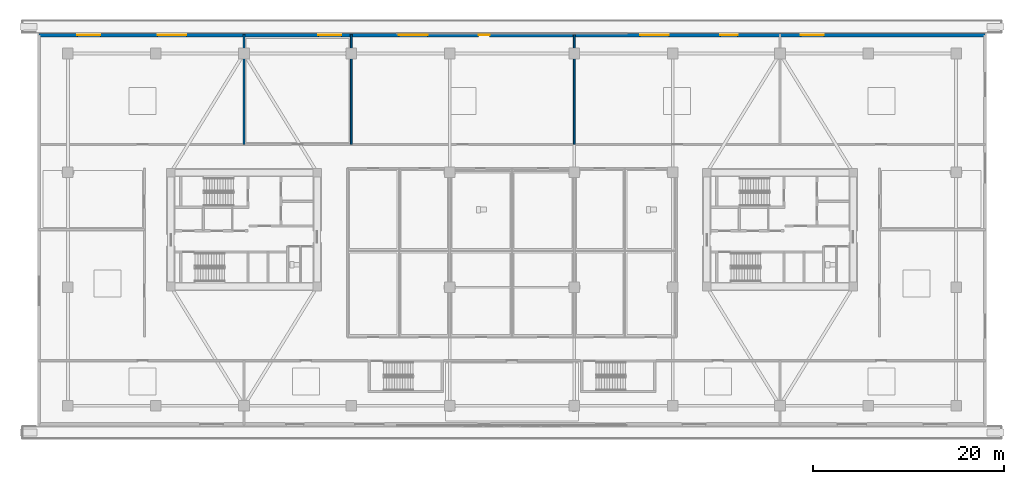
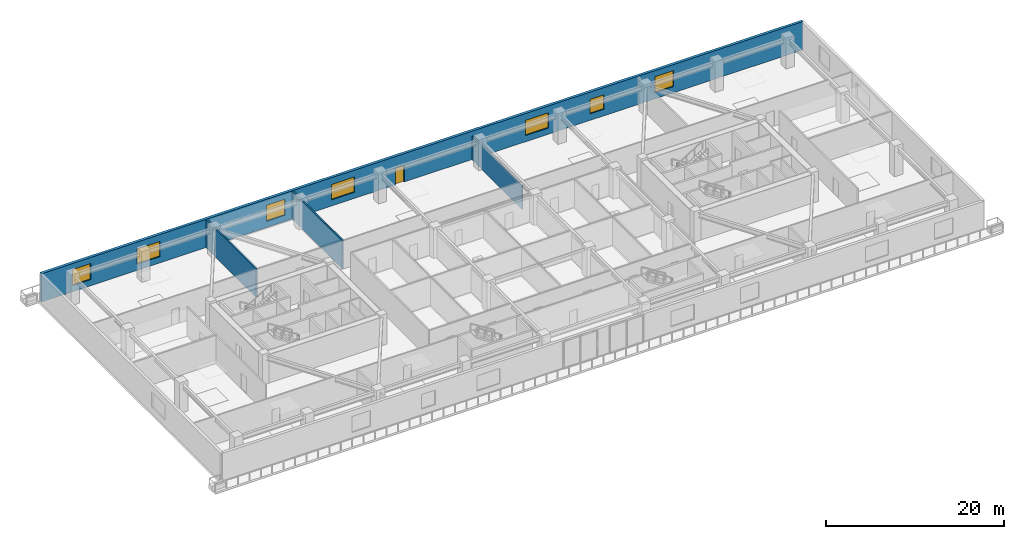
# One storey, part 9 of 22: 7 windows, 4 walls, 1 door, 8 openings.
"""IFC4 building model written with IfcOpenShell, lengths in metres."""

from ifc_helpers import new_model, si_unit, direction, frame, frame_2d, origin, place, context, subcontext, project, spatial, rectangle, extrude, source, transform, mapped, material, layer, layer_set, type_object, type_shapes, element, fill, save


model = new_model("IFC4")

# Units and contexts
model_context = context("Model", 3, precision=1e-05, world=origin(), true_north=direction((0.0, 1.0)))
body_context = subcontext(model_context, "Body", "Model", "MODEL_VIEW")
ifc_project = project(units=[si_unit("LENGTHUNIT", "METRE"), si_unit("AREAUNIT", "SQUARE_METRE"), si_unit("VOLUMEUNIT", "CUBIC_METRE"), si_unit("PLANEANGLEUNIT", "RADIAN"), si_unit("MASSUNIT", "GRAM", prefix="KILO")], contexts=[model_context])

# Site, building, storey
site_placement = place(None, origin())
site = spatial("IfcSite", under=ifc_project, at=site_placement, CompositionType="ELEMENT")
building_placement = place(site_placement, origin())
building = spatial("IfcBuilding", under=site, at=building_placement, Name="Norrkilde Senior Care Towers", CompositionType="ELEMENT")
storey_placement = place(building_placement, frame((0.0, 0.0, 12.60009765625)))
storey = spatial("IfcBuildingStorey", under=building, at=storey_placement, Name="L03", CompositionType="ELEMENT", Elevation=12.60009765625)

# Wall, openings, windows, door
ifc_material_1 = material(Name="Precast concrete C45/55", Category="concrete")
ifc_layer_1 = layer(ifc_material_1, 0.360107421875)
ifc_layer_set_1 = layer_set([ifc_layer_1], Name="Precast concrete C45/55")
wall_type_1 = type_object("IfcWallType", Name="Podium Facade Wall 360", PredefinedType="SOLIDWALL", material=ifc_layer_set_1)
shared_shape_1 = source(origin(), body_context, "Body", "SweptSolid", [
    extrude(rectangle(XDim=98.83984375, YDim=0.360107421875, at=frame_2d((49.419921875, 0.0))), origin(), (0.0, 0.0, 1.0), 3.8798828125),
])
type_shapes(wall_type_1, [shared_shape_1])
wall_1_placement = place(storey_placement, frame((-49.419921875, 20.320068359375, 0.0), z_axis=(0.0, 0.0, 1.0), x_axis=(1.0, 0.0, 0.0)))
wall_1 = element("IfcWall", 1, at=wall_1_placement, inside=storey, type_object=wall_type_1, Name="L03 Podium N Facade Wall", PredefinedType="SOLIDWALL", context=body_context, shape_type="MappedRepresentation", body=[
    mapped(shared_shape_1, transform((0.0, 0.0, 0.0), x_axis=(1.0, 0.0, 0.0), y_axis=(0.0, 1.0, 0.0), z_axis=(0.0, 0.0, 1.0), scale=1.0)),
])
opening_1_placement = place(wall_1_placement, frame((45.919921875, 0.0, 0.0)))
opening_1 = element("IfcOpeningElement", 2, at=opening_1_placement, cuts=wall_1, Name="Opening D-09", PredefinedType="OPENING", context=body_context, shape_type="SweptSolid", body=[
    extrude(rectangle(XDim=1.14990234375, YDim=2.25, at=frame_2d((0.574951171875, 1.125))), frame((0.0, 0.18994140625, 0.0), z_axis=(0.0, -1.0, 0.0), x_axis=(1.0, 0.0, 0.0)), (0.0, 0.0, 1.0), 0.380126953125),
])
opening_2_placement = place(wall_1_placement, frame((4.0, 0.0, 0.85009765625)))
opening_2 = element("IfcOpeningElement", 3, at=opening_2_placement, cuts=wall_1, Name="Opening WN-01", PredefinedType="OPENING", context=body_context, shape_type="SweptSolid", body=[
    extrude(rectangle(XDim=2.39990234375, YDim=2.199951171875, at=frame_2d((1.199951171875, 1.10009765625))), frame((0.0, 0.18994140625, 0.0), z_axis=(0.0, -1.0, 0.0), x_axis=(1.0, 0.0, 0.0)), (0.0, 0.0, 1.0), 0.380126953125),
])
opening_3_placement = place(wall_1_placement, frame((12.39990234375, 0.0, 0.85009765625)))
opening_3 = element("IfcOpeningElement", 4, at=opening_3_placement, cuts=wall_1, Name="Opening WN-02", PredefinedType="OPENING", context=body_context, shape_type="SweptSolid", body=[
    extrude(rectangle(XDim=3.0, YDim=2.10009765625, at=frame_2d((1.5, 1.050048828125))), frame((0.0, 0.18994140625, 0.0), z_axis=(0.0, -1.0, 0.0), x_axis=(1.0, 0.0, 0.0)), (0.0, 0.0, 1.0), 0.380126953125),
])
opening_4_placement = place(wall_1_placement, frame((29.199951171875, 0.0, 0.85009765625)))
opening_4 = element("IfcOpeningElement", 5, at=opening_4_placement, cuts=wall_1, Name="Opening WN-01", PredefinedType="OPENING", context=body_context, shape_type="SweptSolid", body=[
    extrude(rectangle(XDim=2.39990234375, YDim=2.199951171875, at=frame_2d((1.199951171875, 1.10009765625))), frame((0.0, 0.18994140625, 0.0), z_axis=(0.0, -1.0, 0.0), x_axis=(1.0, 0.0, 0.0)), (0.0, 0.0, 1.0), 0.380126953125),
])
opening_5_placement = place(wall_1_placement, frame((37.60009765625, 0.0, 0.85009765625)))
opening_5 = element("IfcOpeningElement", 6, at=opening_5_placement, cuts=wall_1, Name="Opening WN-02", PredefinedType="OPENING", context=body_context, shape_type="SweptSolid", body=[
    extrude(rectangle(XDim=3.0, YDim=2.10009765625, at=frame_2d((1.5, 1.050048828125))), frame((0.0, 0.18994140625, 0.0), z_axis=(0.0, -1.0, 0.0), x_axis=(1.0, 0.0, 0.0)), (0.0, 0.0, 1.0), 0.380126953125),
])
opening_6_placement = place(wall_1_placement, frame((62.800048828125, 0.0, 0.85009765625)))
opening_6 = element("IfcOpeningElement", 7, at=opening_6_placement, cuts=wall_1, Name="Opening WN-02", PredefinedType="OPENING", context=body_context, shape_type="SweptSolid", body=[
    extrude(rectangle(XDim=3.0, YDim=2.10009765625, at=frame_2d((1.5, 1.050048828125))), frame((0.0, 0.18994140625, 0.0), z_axis=(0.0, -1.0, 0.0), x_axis=(1.0, 0.0, 0.0)), (0.0, 0.0, 1.0), 0.380126953125),
])
opening_7_placement = place(wall_1_placement, frame((71.199951171875, 0.0, 0.89990234375)))
opening_7 = element("IfcOpeningElement", 8, at=opening_7_placement, cuts=wall_1, Name="Opening WN-03", PredefinedType="OPENING", context=body_context, shape_type="SweptSolid", body=[
    extrude(rectangle(XDim=1.800048828125, YDim=2.0, at=frame_2d((0.89990234375, 1.0))), frame((0.0, 0.18994140625, 0.0), z_axis=(0.0, -1.0, 0.0), x_axis=(1.0, 0.0, 0.0)), (0.0, 0.0, 1.0), 0.380126953125),
])
opening_8_placement = place(wall_1_placement, frame((79.60009765625, 0.0, 0.85009765625)))
opening_8 = element("IfcOpeningElement", 9, at=opening_8_placement, cuts=wall_1, Name="Opening WN-01", PredefinedType="OPENING", context=body_context, shape_type="SweptSolid", body=[
    extrude(rectangle(XDim=2.39990234375, YDim=2.199951171875, at=frame_2d((1.199951171875, 1.10009765625))), frame((0.0, 0.18994140625, 0.0), z_axis=(0.0, -1.0, 0.0), x_axis=(1.0, 0.0, 0.0)), (0.0, 0.0, 1.0), 0.380126953125),
])
ifc_material_2 = material(Name="Triple Low-E Insulated Glazing", Category="glass")
window_type_1 = type_object("IfcWindowType", Name="Podium Clinic Triple Window 2400x2200", PartitioningType="SINGLE_PANEL", PredefinedType="WINDOW", material=ifc_material_2)
shared_shape_2 = source(origin(), body_context, "Body", "SweptSolid", [
    extrude(rectangle(XDim=2.39990234375, YDim=2.199951171875, at=frame_2d((1.199951171875, 1.10009765625))), frame((0.0, 0.030029296875, 0.0), z_axis=(0.0, -1.0, 0.0), x_axis=(1.0, 0.0, 0.0)), (0.0, 0.0, 1.0), 0.06005859375),
])
type_shapes(window_type_1, [shared_shape_2])
window_1_placement = place(opening_2_placement, origin())
window_1 = element("IfcWindow", 10, at=window_1_placement, inside=storey, type_object=window_type_1, Name="L03 N Window 01", OverallHeight=2.199951171875, OverallWidth=2.39990234375, PartitioningType="SINGLE_PANEL", PredefinedType="WINDOW", context=body_context, shape_type="MappedRepresentation", body=[
    mapped(shared_shape_2, transform((0.0, 0.0, 0.0), x_axis=(1.0, 0.0, 0.0), y_axis=(0.0, 1.0, 0.0), z_axis=(0.0, 0.0, 1.0), scale=1.0)),
])
fill(opening_2, window_1)
window_2_placement = place(opening_4_placement, origin())
window_2 = element("IfcWindow", 11, at=window_2_placement, inside=storey, type_object=window_type_1, Name="L03 N Window 04", OverallHeight=2.199951171875, OverallWidth=2.39990234375, PartitioningType="SINGLE_PANEL", PredefinedType="WINDOW", context=body_context, shape_type="MappedRepresentation", body=[
    mapped(shared_shape_2, transform((0.0, 0.0, 0.0), x_axis=(1.0, 0.0, 0.0), y_axis=(0.0, 1.0, 0.0), z_axis=(0.0, 0.0, 1.0), scale=1.0)),
])
fill(opening_4, window_2)
window_3_placement = place(opening_8_placement, origin())
window_3 = element("IfcWindow", 12, at=window_3_placement, inside=storey, type_object=window_type_1, Name="L03 N Window 10", OverallHeight=2.199951171875, OverallWidth=2.39990234375, PartitioningType="SINGLE_PANEL", PredefinedType="WINDOW", context=body_context, shape_type="MappedRepresentation", body=[
    mapped(shared_shape_2, transform((0.0, 0.0, 0.0), x_axis=(1.0, 0.0, 0.0), y_axis=(0.0, 1.0, 0.0), z_axis=(0.0, 0.0, 1.0), scale=1.0)),
])
fill(opening_8, window_3)
window_type_2 = type_object("IfcWindowType", Name="Podium Rehab Ribbon Window 3000x2100", PartitioningType="SINGLE_PANEL", PredefinedType="WINDOW", material=ifc_material_2)
shared_shape_3 = source(origin(), body_context, "Body", "SweptSolid", [
    extrude(rectangle(XDim=3.0, YDim=2.10009765625, at=frame_2d((1.5, 1.050048828125))), frame((0.0, 0.030029296875, 0.0), z_axis=(0.0, -1.0, 0.0), x_axis=(1.0, 0.0, 0.0)), (0.0, 0.0, 1.0), 0.06005859375),
])
type_shapes(window_type_2, [shared_shape_3])
window_4_placement = place(opening_3_placement, origin())
window_4 = element("IfcWindow", 13, at=window_4_placement, inside=storey, type_object=window_type_2, Name="L03 N Window 02", OverallHeight=2.10009765625, OverallWidth=3.0, PartitioningType="SINGLE_PANEL", PredefinedType="WINDOW", context=body_context, shape_type="MappedRepresentation", body=[
    mapped(shared_shape_3, transform((0.0, 0.0, 0.0), x_axis=(1.0, 0.0, 0.0), y_axis=(0.0, 1.0, 0.0), z_axis=(0.0, 0.0, 1.0), scale=1.0)),
])
fill(opening_3, window_4)
window_5_placement = place(opening_5_placement, origin())
window_5 = element("IfcWindow", 14, at=window_5_placement, inside=storey, type_object=window_type_2, Name="L03 N Window 05", OverallHeight=2.10009765625, OverallWidth=3.0, PartitioningType="SINGLE_PANEL", PredefinedType="WINDOW", context=body_context, shape_type="MappedRepresentation", body=[
    mapped(shared_shape_3, transform((0.0, 0.0, 0.0), x_axis=(1.0, 0.0, 0.0), y_axis=(0.0, 1.0, 0.0), z_axis=(0.0, 0.0, 1.0), scale=1.0)),
])
fill(opening_5, window_5)
window_6_placement = place(opening_6_placement, origin())
window_6 = element("IfcWindow", 15, at=window_6_placement, inside=storey, type_object=window_type_2, Name="L03 N Window 08", OverallHeight=2.10009765625, OverallWidth=3.0, PartitioningType="SINGLE_PANEL", PredefinedType="WINDOW", context=body_context, shape_type="MappedRepresentation", body=[
    mapped(shared_shape_3, transform((0.0, 0.0, 0.0), x_axis=(1.0, 0.0, 0.0), y_axis=(0.0, 1.0, 0.0), z_axis=(0.0, 0.0, 1.0), scale=1.0)),
])
fill(opening_6, window_6)
window_type_3 = type_object("IfcWindowType", Name="Podium Therapy Garden Window 1800x2000", PartitioningType="SINGLE_PANEL", PredefinedType="WINDOW", material=ifc_material_2)
shared_shape_4 = source(origin(), body_context, "Body", "SweptSolid", [
    extrude(rectangle(XDim=1.800048828125, YDim=2.0, at=frame_2d((0.89990234375, 1.0))), frame((0.0, 0.030029296875, 0.0), z_axis=(0.0, -1.0, 0.0), x_axis=(1.0, 0.0, 0.0)), (0.0, 0.0, 1.0), 0.06005859375),
])
type_shapes(window_type_3, [shared_shape_4])
window_7_placement = place(opening_7_placement, origin())
window_7 = element("IfcWindow", 16, at=window_7_placement, inside=storey, type_object=window_type_3, Name="L03 N Window 09", OverallHeight=2.0, OverallWidth=1.800048828125, PartitioningType="SINGLE_PANEL", PredefinedType="WINDOW", context=body_context, shape_type="MappedRepresentation", body=[
    mapped(shared_shape_4, transform((0.0, 0.0, 0.0), x_axis=(1.0, 0.0, 0.0), y_axis=(0.0, 1.0, 0.0), z_axis=(0.0, 0.0, 1.0), scale=1.0)),
])
fill(opening_7, window_7)
ifc_material_3 = material(Name="Anodised Aluminium", Category="aluminium")
door_type = type_object("IfcDoorType", Name="Terrace and Balcony Glazed Door 1150x2250", OperationType="NOTDEFINED", PredefinedType="DOOR", material=ifc_material_3)
shared_shape_5 = source(origin(), body_context, "Body", "SweptSolid", [
    extrude(rectangle(XDim=1.14990234375, YDim=2.25, at=frame_2d((0.574951171875, 1.125))), frame((0.0, 0.02490234375, 0.0), z_axis=(0.0, -1.0, 0.0), x_axis=(1.0, 0.0, 0.0)), (0.0, 0.0, 1.0), 0.050048828125),
])
type_shapes(door_type, [shared_shape_5])
door_placement = place(opening_1_placement, origin())
door = element("IfcDoor", 17, at=door_placement, inside=storey, type_object=door_type, Name="L03 North Cascading Garden Terrace Door", OperationType="SINGLE_SWING_LEFT", OverallHeight=2.25, OverallWidth=1.14990234375, PredefinedType="DOOR", context=body_context, shape_type="MappedRepresentation", body=[
    mapped(shared_shape_5, transform((0.0, 0.0, 0.0), x_axis=(1.0, 0.0, 0.0), y_axis=(0.0, 1.0, 0.0), z_axis=(0.0, 0.0, 1.0), scale=1.0)),
])
fill(opening_1, door)

# Walls
ifc_material_4 = material(Name="Gypsum Acoustic Board")
ifc_layer_2 = layer(ifc_material_4, 0.18994140625)
ifc_layer_set_2 = layer_set([ifc_layer_2], Name="Gypsum Acoustic Board")
wall_type_2 = type_object("IfcWallType", Name="Unit Demising Acoustic Wall 190", PredefinedType="PARTITIONING", material=ifc_layer_set_2)
shared_shape_6 = source(origin(), body_context, "Body", "SweptSolid", [
    extrude(rectangle(XDim=11.5, YDim=0.18994140625, at=frame_2d((5.75, 0.0))), origin(), (0.0, 0.0, 1.0), 3.864990234375),
])
for number, where, z_axis, x_axis, name in (
    (18, (-28.0, 8.89990234375, 0.0), (0.0, 0.0, 1.0), (0.0, 1.0, 0.0), "WL-INT-L03-POD-NPV1"),
    (19, (-16.800048828125, 8.89990234375, 0.0), (0.0, 0.0, 1.0), (0.0, 1.0, 0.0), "WL-INT-L03-POD-NPV2"),
):
    element("IfcWall", number, at=place(storey_placement, frame(where, z_axis=z_axis, x_axis=x_axis)), inside=storey, type_object=wall_type_2, Name=name, PredefinedType="PARTITIONING", context=body_context, shape_type="MappedRepresentation", body=[
        mapped(shared_shape_6, transform((0.0, 0.0, 0.0), x_axis=(1.0, 0.0, 0.0), y_axis=(0.0, 1.0, 0.0), z_axis=(0.0, 0.0, 1.0), scale=1.0)),
    ])
shared_shape_7 = source(origin(), body_context, "Body", "SweptSolid", [
    extrude(rectangle(XDim=11.5, YDim=0.18994140625, at=frame_2d((5.75, 0.0))), origin(), (0.0, 0.0, 1.0), 3.21484375),
])
type_shapes(wall_type_2, [shared_shape_6, shared_shape_7])
wall_2_placement = place(storey_placement, frame((6.5, 8.89990234375, 0.0), z_axis=(0.0, 0.0, 1.0), x_axis=(0.0, 1.0, 0.0)))
element("IfcWall", 20, at=wall_2_placement, inside=storey, type_object=wall_type_2, Name="WL-INT-L03-POD-NPV3", PredefinedType="PARTITIONING", context=body_context, shape_type="MappedRepresentation", body=[
    mapped(shared_shape_7, transform((0.0, 0.0, 0.0), x_axis=(1.0, 0.0, 0.0), y_axis=(0.0, 1.0, 0.0), z_axis=(0.0, 0.0, 1.0), scale=1.0)),
])

save(model, "model.ifc")
